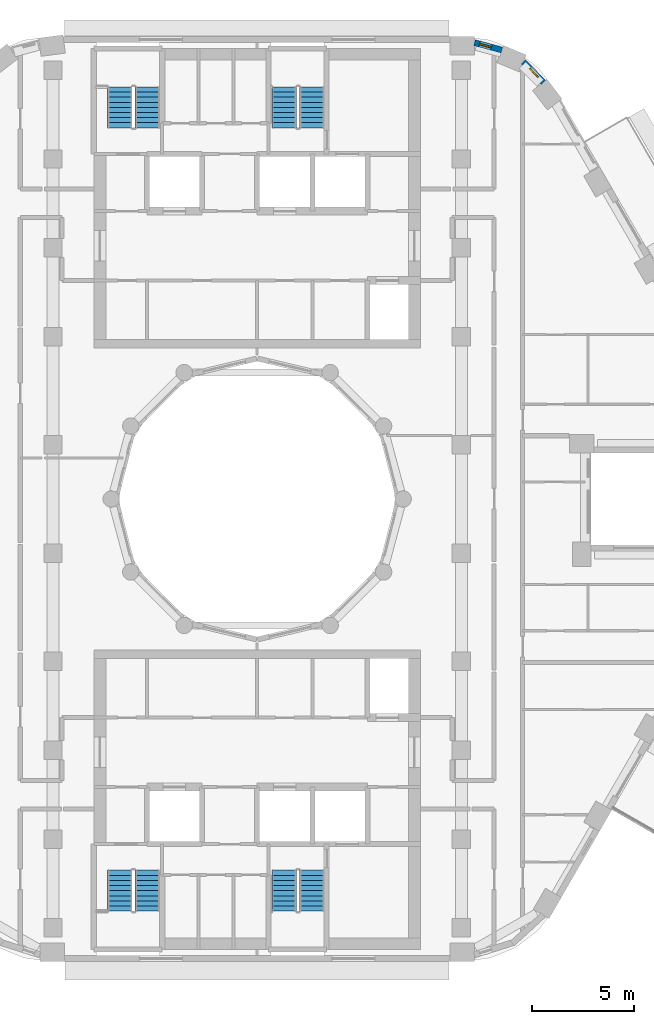
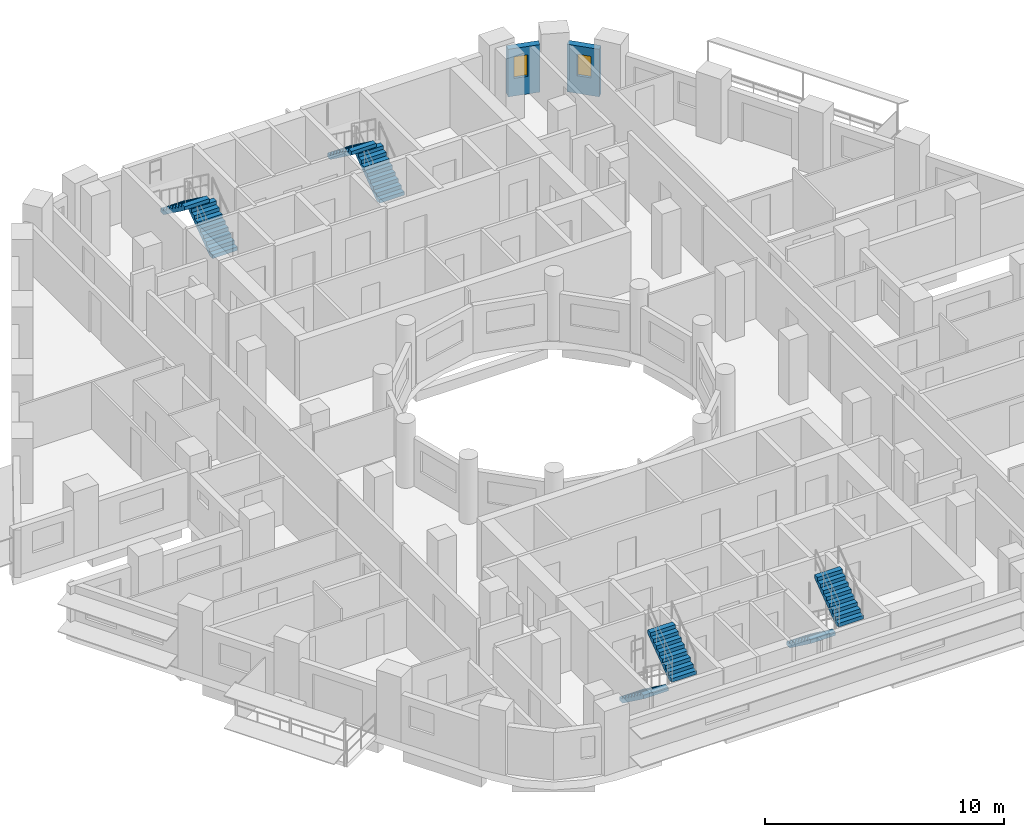
# One storey, part 10 of 18: 8 stair flights, 2 walls, 2 windows, 2 openings, 4 elements without a shape of their own.
"""IFC4 building model written with IfcOpenShell, lengths in metres."""

from ifc_helpers import new_model, si_unit, direction, frame, frame_2d, origin, place, context, subcontext, project, spatial, polyline, rectangle, outline, extrude, material, layer, layer_set, type_object, element, fill, aggregate, save


model = new_model("IFC4")

# Units and contexts
model_context = context("Model", 3, precision=1e-05, world=origin(), true_north=direction((0.0, 1.0)))
body_context = subcontext(model_context, "Body", "Model", "MODEL_VIEW")
ifc_project = project(units=[si_unit("LENGTHUNIT", "METRE"), si_unit("AREAUNIT", "SQUARE_METRE"), si_unit("VOLUMEUNIT", "CUBIC_METRE"), si_unit("PLANEANGLEUNIT", "RADIAN"), si_unit("MASSUNIT", "GRAM", prefix="KILO")], contexts=[model_context])

# Site, building, storey
site_placement = place(None, origin())
site = spatial("IfcSite", under=ifc_project, at=site_placement, CompositionType="ELEMENT")
building_placement = place(site_placement, origin())
building = spatial("IfcBuilding", under=site, at=building_placement, Name="Nakaniwa Court", CompositionType="ELEMENT")
storey_placement = place(building_placement, frame((0.0, 0.0, 176.699951171875)))
storey = spatial("IfcBuildingStorey", under=building, at=storey_placement, Name="L45", CompositionType="ELEMENT", Elevation=176.699951171875)

# Wall, opening, window
ifc_material_1 = material(Name="Charcoal ceramic cladding")
ifc_layer_1 = layer(ifc_material_1, 0.02, Name="Ceramic cladding")
ifc_material_2 = material(Name="Ventilated air cavity")
ifc_layer_2 = layer(ifc_material_2, 0.04, ventilated=True, Name="Ventilated cavity")
ifc_material_3 = material(Name="Mineral wool insulation")
ifc_layer_3 = layer(ifc_material_3, 0.1, Name="Insulation")
ifc_material_4 = material(Name="Cement bonded sheathing board")
ifc_layer_4 = layer(ifc_material_4, 0.012, Name="Sheathing")
ifc_material_5 = material(Name="Cold-formed galvanised stud frame with mineral wool infill")
ifc_layer_5 = layer(ifc_material_5, 0.1, Name="Stud frame")
ifc_material_6 = material(Name="Fire-rated gypsum plasterboard lining")
ifc_layer_6 = layer(ifc_material_6, 0.028, Name="Lining")
ifc_layer_set = layer_set([ifc_layer_1, ifc_layer_2, ifc_layer_3, ifc_layer_4, ifc_layer_5, ifc_layer_6], Name="Charcoal ceramic faced external wall system")
wall_type = type_object("IfcWallType", Name="Black ceramic faced external wall 300", PredefinedType="SOLIDWALL", material=ifc_layer_set)
wall_1_placement = place(storey_placement, frame((94.009033203125, 100.40185546875, 0.0), z_axis=(0.0, 0.0, 1.0), x_axis=(-0.69817596362, 0.715926199984, 0.0)))
wall_1 = element("IfcWall", 1, at=wall_1_placement, inside=storey, type_object=wall_type, Name="L45 external wall 06", PredefinedType="SOLIDWALL", context=body_context, shape_type="SweptSolid", body=[
    extrude(rectangle(XDim=1.40283203125, YDim=0.300048828125, at=frame_2d((0.701416015625, 0.0))), origin(), (0.0, 0.0, 1.0), 2.425048828125),
])
opening_1_placement = place(wall_1_placement, frame((0.35986328125, 0.0, 0.89990234375)))
opening_1 = element("IfcOpeningElement", 2, at=opening_1_placement, cuts=wall_1, Name="Opening W8.05", PredefinedType="OPENING", context=body_context, shape_type="SweptSolid", body=[
    extrude(rectangle(XDim=0.60009765625, YDim=1.10009765625, at=frame_2d((0.300048828125, 0.550048828125))), frame((0.0, 0.159912109375, 0.0), z_axis=(0.0, -1.0, 0.0), x_axis=(1.0, 0.0, 0.0)), (0.0, 0.0, 1.0), 0.320068359375),
])
ifc_material_7 = material(Name="Black anodised aluminium frame with dark low-E laminated double glazing", Category="aluminium")
window_type = type_object("IfcWindowType", Name="Dark glass window 600x1100 sill 900", PartitioningType="SINGLE_PANEL", PredefinedType="WINDOW", material=ifc_material_7)
window_1_placement = place(opening_1_placement, origin())
window_1 = element("IfcWindow", 3, at=window_1_placement, inside=storey, type_object=window_type, Name="L45 habitable room window 06-0", OverallHeight=1.10009765625, OverallWidth=0.60009765625, PartitioningType="SINGLE_PANEL", PredefinedType="WINDOW", context=body_context, shape_type="SweptSolid", body=[
    extrude(rectangle(XDim=0.60009765625, YDim=1.10009765625, at=frame_2d((0.300048828125, 0.550048828125))), frame((0.0, 0.030029296875, 0.0), z_axis=(0.0, -1.0, 0.0), x_axis=(1.0, 0.0, 0.0)), (0.0, 0.0, 1.0), 0.06005859375),
])
fill(opening_1, window_1)

wall_2_placement = place(storey_placement, frame((91.977294921875, 101.981201171875, 0.0), z_axis=(0.0, 0.0, 1.0), x_axis=(-0.965315341278, 0.261086751661, 0.0)))
wall_2 = element("IfcWall", 4, at=wall_2_placement, inside=storey, type_object=wall_type, Name="L45 external wall 07", PredefinedType="SOLIDWALL", context=body_context, shape_type="SweptSolid", body=[
    extrude(rectangle(XDim=1.384033203125, YDim=0.300048828125, at=frame_2d((0.69189453125, 0.0))), origin(), (0.0, 0.0, 1.0), 2.425048828125),
])
opening_2_placement = place(wall_2_placement, frame((0.529296875, 0.0, 0.89990234375)))
opening_2 = element("IfcOpeningElement", 5, at=opening_2_placement, cuts=wall_2, Name="Opening W8.06", PredefinedType="OPENING", context=body_context, shape_type="SweptSolid", body=[
    extrude(rectangle(XDim=0.60009765625, YDim=1.10009765625, at=frame_2d((0.300048828125, 0.550048828125))), frame((0.0, 0.159912109375, 0.0), z_axis=(0.0, -1.0, 0.0), x_axis=(1.0, 0.0, 0.0)), (0.0, 0.0, 1.0), 0.320068359375),
])
window_2_placement = place(opening_2_placement, origin())
window_2 = element("IfcWindow", 6, at=window_2_placement, inside=storey, type_object=window_type, Name="L45 habitable room window 07-1", OverallHeight=1.10009765625, OverallWidth=0.60009765625, PartitioningType="SINGLE_PANEL", PredefinedType="WINDOW", context=body_context, shape_type="SweptSolid", body=[
    extrude(rectangle(XDim=0.60009765625, YDim=1.10009765625, at=frame_2d((0.300048828125, 0.550048828125))), frame((0.0, 0.030029296875, 0.0), z_axis=(0.0, -1.0, 0.0), x_axis=(1.0, 0.0, 0.0)), (0.0, 0.0, 1.0), 0.06005859375),
])
fill(opening_2, window_2)

# Stair, stair flights
ifc_material_8 = material(Name="Concrete C80/100", Category="concrete")
stair_type = type_object("IfcStairType", Name="Dog leg stair 1200 wide 18 risers", PredefinedType="HALF_TURN_STAIR", material=ifc_material_8)
stair_1_placement = place(storey_placement, origin())
stair_1 = element("IfcStair", 7, at=stair_1_placement, inside=storey, type_object=stair_type, Name="L45 Stair ST1", PredefinedType="HALF_TURN_STAIR")
stair_flight_type = type_object("IfcStairFlightType", Name="Stair flight 1200 wide 9 risers", PredefinedType="STRAIGHT", material=ifc_material_8)
stair_flight_1_placement = place(storey_placement, frame((74.625, 98.175048828125, 0.0), z_axis=(0.0, 0.0, 1.0), x_axis=(0.0, 1.0, 0.0)))
stair_flight_1 = element("IfcStairFlight", 8, at=stair_flight_1_placement, type_object=stair_flight_type, Name="ST1 flight 1", NumberOfRisers=9, NumberOfTreads=8, PredefinedType="STRAIGHT", RiserHeight=0.183333333, TreadLength=0.25, context=body_context, shape_type="SweptSolid", body=[
    extrude(outline(polyline([(0.0, 0.0), (0.0, 0.026123046875), (0.0, 0.052490234375), (0.0, 0.07861328125), (0.0, 0.104736328125), (0.0, 0.130859375), (0.0, 0.1572265625), (0.0, 0.183349609375), (0.25, 0.183349609375), (0.25, 0.36669921875), (0.5, 0.36669921875), (0.5, 0.550048828125), (0.75, 0.550048828125), (0.75, 0.7333984375), (1.0, 0.7333984375), (1.0, 0.916748046875), (1.25, 0.916748046875), (1.25, 1.10009765625), (1.5, 1.10009765625), (1.5, 1.283447265625), (1.75, 1.283447265625), (1.75, 1.466552734375), (2.0, 1.466552734375), (2.0, 1.64990234375), (2.0, 1.59716796875), (2.0, 1.54443359375), (2.0, 1.49169921875), (2.0, 1.43896484375), (2.0, 1.38623046875), (2.0, 1.33349609375), (2.0, 1.28076171875), (0.25341796875, 0.0), (0.0, 0.0)])), frame((0.0, 0.60009765625, 0.0), z_axis=(0.0, -1.0, 0.0), x_axis=(1.0, 0.0, 0.0)), (0.0, 0.0, 1.0), 1.199951171875),
])
stair_flight_2_placement = place(storey_placement, frame((73.27490234375, 100.175048828125, 1.650146484375), z_axis=(0.0, 0.0, 1.0), x_axis=(0.0, -1.0, 0.0)))
stair_flight_2 = element("IfcStairFlight", 9, at=stair_flight_2_placement, type_object=stair_flight_type, Name="ST1 flight 2", NumberOfRisers=9, NumberOfTreads=8, PredefinedType="STRAIGHT", RiserHeight=0.183333333, TreadLength=0.25, context=body_context, shape_type="SweptSolid", body=[
    extrude(outline(polyline([(0.0, 0.0), (0.0, 0.026123046875), (0.0, 0.052490234375), (0.0, 0.07861328125), (0.0, 0.104736328125), (0.0, 0.130859375), (0.0, 0.1572265625), (0.0, 0.183349609375), (0.25, 0.183349609375), (0.25, 0.36669921875), (0.5, 0.36669921875), (0.5, 0.550048828125), (0.75, 0.550048828125), (0.75, 0.7333984375), (1.0, 0.7333984375), (1.0, 0.916748046875), (1.25, 0.916748046875), (1.25, 1.10009765625), (1.5, 1.10009765625), (1.5, 1.283447265625), (1.75, 1.283447265625), (1.75, 1.466552734375), (2.0, 1.466552734375), (2.0, 1.64990234375), (2.0, 1.59716796875), (2.0, 1.54443359375), (2.0, 1.49169921875), (2.0, 1.43896484375), (2.0, 1.38623046875), (2.0, 1.33349609375), (2.0, 1.28076171875), (0.25341796875, 0.0), (0.0, 0.0)])), frame((0.0, 0.60009765625, 0.0), z_axis=(0.0, -1.0, 0.0), x_axis=(1.0, 0.0, 0.0)), (0.0, 0.0, 1.0), 1.199951171875),
])
aggregate(stair_1, [stair_flight_1, stair_flight_2])

stair_2_placement = place(storey_placement, origin())
stair_2 = element("IfcStair", 10, at=stair_2_placement, inside=storey, type_object=stair_type, Name="L45 Stair ST2", PredefinedType="HALF_TURN_STAIR")
stair_flight_3_placement = place(storey_placement, frame((82.675048828125, 98.175048828125, 0.0), z_axis=(0.0, 0.0, 1.0), x_axis=(0.0, 1.0, 0.0)))
stair_flight_3 = element("IfcStairFlight", 11, at=stair_flight_3_placement, type_object=stair_flight_type, Name="ST2 flight 1", NumberOfRisers=9, NumberOfTreads=8, PredefinedType="STRAIGHT", RiserHeight=0.183333333, TreadLength=0.25, context=body_context, shape_type="SweptSolid", body=[
    extrude(outline(polyline([(0.0, 0.0), (0.0, 0.026123046875), (0.0, 0.052490234375), (0.0, 0.07861328125), (0.0, 0.104736328125), (0.0, 0.130859375), (0.0, 0.1572265625), (0.0, 0.183349609375), (0.25, 0.183349609375), (0.25, 0.36669921875), (0.5, 0.36669921875), (0.5, 0.550048828125), (0.75, 0.550048828125), (0.75, 0.7333984375), (1.0, 0.7333984375), (1.0, 0.916748046875), (1.25, 0.916748046875), (1.25, 1.10009765625), (1.5, 1.10009765625), (1.5, 1.283447265625), (1.75, 1.283447265625), (1.75, 1.466552734375), (2.0, 1.466552734375), (2.0, 1.64990234375), (2.0, 1.59716796875), (2.0, 1.54443359375), (2.0, 1.49169921875), (2.0, 1.43896484375), (2.0, 1.38623046875), (2.0, 1.33349609375), (2.0, 1.28076171875), (0.25341796875, 0.0), (0.0, 0.0)])), frame((0.0, 0.60009765625, 0.0), z_axis=(0.0, -1.0, 0.0), x_axis=(1.0, 0.0, 0.0)), (0.0, 0.0, 1.0), 1.199951171875),
])
stair_flight_4_placement = place(storey_placement, frame((81.324951171875, 100.175048828125, 1.650146484375), z_axis=(0.0, 0.0, 1.0), x_axis=(0.0, -1.0, 0.0)))
stair_flight_4 = element("IfcStairFlight", 12, at=stair_flight_4_placement, type_object=stair_flight_type, Name="ST2 flight 2", NumberOfRisers=9, NumberOfTreads=8, PredefinedType="STRAIGHT", RiserHeight=0.183333333, TreadLength=0.25, context=body_context, shape_type="SweptSolid", body=[
    extrude(outline(polyline([(0.0, 0.0), (0.0, 0.026123046875), (0.0, 0.052490234375), (0.0, 0.07861328125), (0.0, 0.104736328125), (0.0, 0.130859375), (0.0, 0.1572265625), (0.0, 0.183349609375), (0.25, 0.183349609375), (0.25, 0.36669921875), (0.5, 0.36669921875), (0.5, 0.550048828125), (0.75, 0.550048828125), (0.75, 0.7333984375), (1.0, 0.7333984375), (1.0, 0.916748046875), (1.25, 0.916748046875), (1.25, 1.10009765625), (1.5, 1.10009765625), (1.5, 1.283447265625), (1.75, 1.283447265625), (1.75, 1.466552734375), (2.0, 1.466552734375), (2.0, 1.64990234375), (2.0, 1.59716796875), (2.0, 1.54443359375), (2.0, 1.49169921875), (2.0, 1.43896484375), (2.0, 1.38623046875), (2.0, 1.33349609375), (2.0, 1.28076171875), (0.25341796875, 0.0), (0.0, 0.0)])), frame((0.0, 0.60009765625, 0.0), z_axis=(0.0, -1.0, 0.0), x_axis=(1.0, 0.0, 0.0)), (0.0, 0.0, 1.0), 1.199951171875),
])
aggregate(stair_2, [stair_flight_3, stair_flight_4])

stair_3_placement = place(storey_placement, origin())
stair_3 = element("IfcStair", 13, at=stair_3_placement, inside=storey, type_object=stair_type, Name="L45 Stair ST3", PredefinedType="HALF_TURN_STAIR")
stair_flight_5_placement = place(storey_placement, frame((73.27490234375, 61.824951171875, 0.0), z_axis=(0.0, 0.0, 1.0), x_axis=(0.0, -1.0, 0.0)))
stair_flight_5 = element("IfcStairFlight", 14, at=stair_flight_5_placement, type_object=stair_flight_type, Name="ST3 flight 1", NumberOfRisers=9, NumberOfTreads=8, PredefinedType="STRAIGHT", RiserHeight=0.183333333, TreadLength=0.25, context=body_context, shape_type="SweptSolid", body=[
    extrude(outline(polyline([(0.0, 0.0), (0.0, 0.026123046875), (0.0, 0.052490234375), (0.0, 0.07861328125), (0.0, 0.104736328125), (0.0, 0.130859375), (0.0, 0.1572265625), (0.0, 0.183349609375), (0.25, 0.183349609375), (0.25, 0.36669921875), (0.5, 0.36669921875), (0.5, 0.550048828125), (0.75, 0.550048828125), (0.75, 0.7333984375), (1.0, 0.7333984375), (1.0, 0.916748046875), (1.25, 0.916748046875), (1.25, 1.10009765625), (1.5, 1.10009765625), (1.5, 1.283447265625), (1.75, 1.283447265625), (1.75, 1.466552734375), (2.0, 1.466552734375), (2.0, 1.64990234375), (2.0, 1.59716796875), (2.0, 1.54443359375), (2.0, 1.49169921875), (2.0, 1.43896484375), (2.0, 1.38623046875), (2.0, 1.33349609375), (2.0, 1.28076171875), (0.25341796875, 0.0), (0.0, 0.0)])), frame((0.0, 0.60009765625, 0.0), z_axis=(0.0, -1.0, 0.0), x_axis=(1.0, 0.0, 0.0)), (0.0, 0.0, 1.0), 1.199951171875),
])
stair_flight_6_placement = place(storey_placement, frame((74.625, 59.824951171875, 1.650146484375), z_axis=(0.0, 0.0, 1.0), x_axis=(0.0, 1.0, 0.0)))
stair_flight_6 = element("IfcStairFlight", 15, at=stair_flight_6_placement, type_object=stair_flight_type, Name="ST3 flight 2", NumberOfRisers=9, NumberOfTreads=8, PredefinedType="STRAIGHT", RiserHeight=0.183333333, TreadLength=0.25, context=body_context, shape_type="SweptSolid", body=[
    extrude(outline(polyline([(0.0, 0.0), (0.0, 0.026123046875), (0.0, 0.052490234375), (0.0, 0.07861328125), (0.0, 0.104736328125), (0.0, 0.130859375), (0.0, 0.1572265625), (0.0, 0.183349609375), (0.25, 0.183349609375), (0.25, 0.36669921875), (0.5, 0.36669921875), (0.5, 0.550048828125), (0.75, 0.550048828125), (0.75, 0.7333984375), (1.0, 0.7333984375), (1.0, 0.916748046875), (1.25, 0.916748046875), (1.25, 1.10009765625), (1.5, 1.10009765625), (1.5, 1.283447265625), (1.75, 1.283447265625), (1.75, 1.466552734375), (2.0, 1.466552734375), (2.0, 1.64990234375), (2.0, 1.59716796875), (2.0, 1.54443359375), (2.0, 1.49169921875), (2.0, 1.43896484375), (2.0, 1.38623046875), (2.0, 1.33349609375), (2.0, 1.28076171875), (0.25341796875, 0.0), (0.0, 0.0)])), frame((0.0, 0.60009765625, 0.0), z_axis=(0.0, -1.0, 0.0), x_axis=(1.0, 0.0, 0.0)), (0.0, 0.0, 1.0), 1.199951171875),
])
aggregate(stair_3, [stair_flight_5, stair_flight_6])

stair_4_placement = place(storey_placement, origin())
stair_4 = element("IfcStair", 16, at=stair_4_placement, inside=storey, type_object=stair_type, Name="L45 Stair ST4", PredefinedType="HALF_TURN_STAIR")
stair_flight_7_placement = place(storey_placement, frame((81.324951171875, 61.824951171875, 0.0), z_axis=(0.0, 0.0, 1.0), x_axis=(0.0, -1.0, 0.0)))
stair_flight_7 = element("IfcStairFlight", 17, at=stair_flight_7_placement, type_object=stair_flight_type, Name="ST4 flight 1", NumberOfRisers=9, NumberOfTreads=8, PredefinedType="STRAIGHT", RiserHeight=0.183333333, TreadLength=0.25, context=body_context, shape_type="SweptSolid", body=[
    extrude(outline(polyline([(0.0, 0.0), (0.0, 0.026123046875), (0.0, 0.052490234375), (0.0, 0.07861328125), (0.0, 0.104736328125), (0.0, 0.130859375), (0.0, 0.1572265625), (0.0, 0.183349609375), (0.25, 0.183349609375), (0.25, 0.36669921875), (0.5, 0.36669921875), (0.5, 0.550048828125), (0.75, 0.550048828125), (0.75, 0.7333984375), (1.0, 0.7333984375), (1.0, 0.916748046875), (1.25, 0.916748046875), (1.25, 1.10009765625), (1.5, 1.10009765625), (1.5, 1.283447265625), (1.75, 1.283447265625), (1.75, 1.466552734375), (2.0, 1.466552734375), (2.0, 1.64990234375), (2.0, 1.59716796875), (2.0, 1.54443359375), (2.0, 1.49169921875), (2.0, 1.43896484375), (2.0, 1.38623046875), (2.0, 1.33349609375), (2.0, 1.28076171875), (0.25341796875, 0.0), (0.0, 0.0)])), frame((0.0, 0.60009765625, 0.0), z_axis=(0.0, -1.0, 0.0), x_axis=(1.0, 0.0, 0.0)), (0.0, 0.0, 1.0), 1.199951171875),
])
stair_flight_8_placement = place(storey_placement, frame((82.675048828125, 59.824951171875, 1.650146484375), z_axis=(0.0, 0.0, 1.0), x_axis=(0.0, 1.0, 0.0)))
stair_flight_8 = element("IfcStairFlight", 18, at=stair_flight_8_placement, type_object=stair_flight_type, Name="ST4 flight 2", NumberOfRisers=9, NumberOfTreads=8, PredefinedType="STRAIGHT", RiserHeight=0.183333333, TreadLength=0.25, context=body_context, shape_type="SweptSolid", body=[
    extrude(outline(polyline([(0.0, 0.0), (0.0, 0.026123046875), (0.0, 0.052490234375), (0.0, 0.07861328125), (0.0, 0.104736328125), (0.0, 0.130859375), (0.0, 0.1572265625), (0.0, 0.183349609375), (0.25, 0.183349609375), (0.25, 0.36669921875), (0.5, 0.36669921875), (0.5, 0.550048828125), (0.75, 0.550048828125), (0.75, 0.7333984375), (1.0, 0.7333984375), (1.0, 0.916748046875), (1.25, 0.916748046875), (1.25, 1.10009765625), (1.5, 1.10009765625), (1.5, 1.283447265625), (1.75, 1.283447265625), (1.75, 1.466552734375), (2.0, 1.466552734375), (2.0, 1.64990234375), (2.0, 1.59716796875), (2.0, 1.54443359375), (2.0, 1.49169921875), (2.0, 1.43896484375), (2.0, 1.38623046875), (2.0, 1.33349609375), (2.0, 1.28076171875), (0.25341796875, 0.0), (0.0, 0.0)])), frame((0.0, 0.60009765625, 0.0), z_axis=(0.0, -1.0, 0.0), x_axis=(1.0, 0.0, 0.0)), (0.0, 0.0, 1.0), 1.199951171875),
])
aggregate(stair_4, [stair_flight_7, stair_flight_8])

save(model, "model.ifc")
